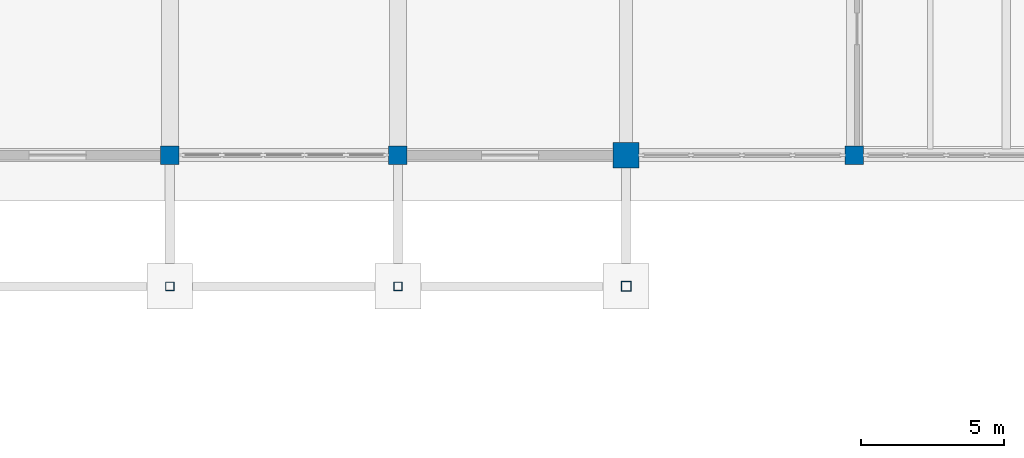
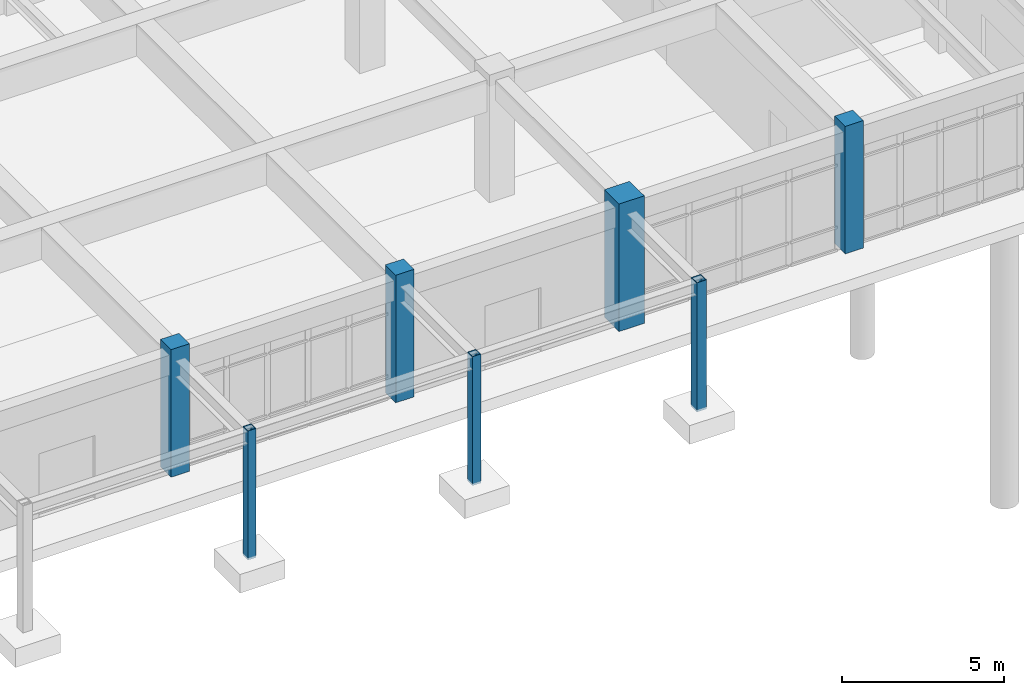
# One storey, part 8 of 64: 7 columns.
"""IFC4 building model written with IfcOpenShell, lengths in metres."""

from ifc_helpers import new_model, si_unit, direction, frame, origin, origin_2d, place, context, subcontext, project, spatial, rectangle, hollow_rectangle, extrude, material, material_profile, profile_set, type_object, element, save


model = new_model("IFC4")

# Units and contexts
model_context = context("Model", 3, precision=1e-05, world=origin(), true_north=direction((0.0, 1.0)))
body_context = subcontext(model_context, "Body", "Model", "MODEL_VIEW")
ifc_project = project(units=[si_unit("LENGTHUNIT", "METRE"), si_unit("AREAUNIT", "SQUARE_METRE"), si_unit("VOLUMEUNIT", "CUBIC_METRE"), si_unit("PLANEANGLEUNIT", "RADIAN"), si_unit("MASSUNIT", "GRAM", prefix="KILO")], contexts=[model_context])

# Site, building, storey
site_placement = place(None, origin())
site = spatial("IfcSite", under=ifc_project, at=site_placement, CompositionType="ELEMENT")
building_placement = place(site_placement, origin())
building = spatial("IfcBuilding", under=site, at=building_placement, Name="Tlaxcora Railside Police Headquarters", CompositionType="ELEMENT")
storey_placement = place(building_placement, origin())
storey = spatial("IfcBuildingStorey", under=building, at=storey_placement, Name="L00", CompositionType="ELEMENT", Elevation=0.0)

# Columns
ifc_material_1 = material(Name="Steel ASTM A992 Grade 50", Category="steel")
ifc_material_profile_1 = material_profile(ifc_material_1, hollow_rectangle(XDim=0.35009765625, YDim=0.35009765625, WallThickness=0.01611328125, at=origin_2d()), Name="HSS350X350X16")
ifc_profile_set_1 = profile_set([ifc_material_profile_1], Name="Steel ASTM A992 Grade 50")
column_type_1 = type_object("IfcColumnType", Name="Structural Column CL-19", PredefinedType="COLUMN", material=ifc_profile_set_1)
column_1_placement = place(storey_placement, frame((86.0, 31.39990234375, -0.5), z_axis=(0.0, 0.0, 1.0), x_axis=(1.0, 0.0, 0.0)))
element("IfcColumn", 1, at=column_1_placement, inside=storey, type_object=column_type_1, Name="Entrance canopy column X=86.0", PredefinedType="COLUMN", context=body_context, shape_type="SweptSolid", body=[
    extrude(hollow_rectangle(XDim=0.35009765625, YDim=0.35009765625, WallThickness=0.01611328125, at=origin_2d()), origin(), (0.0, 0.0, 1.0), 4.860107421875),
])
ifc_material_2 = material(Name="Concrete C40/50", Category="concrete")
ifc_material_profile_2 = material_profile(ifc_material_2, rectangle(XDim=0.89990234375, YDim=0.89990234375, at=origin_2d()), Name="RC900X900")
ifc_profile_set_2 = profile_set([ifc_material_profile_2], Name="Concrete C40/50")
column_type_2 = type_object("IfcColumnType", Name="Structural Column CL-45", PredefinedType="COLUMN", material=ifc_profile_set_2)
column_2_placement = place(storey_placement, frame((86.0, 36.0, 0.0), z_axis=(0.0, 0.0, 1.0), x_axis=(1.0, 0.0, 0.0)))
element("IfcColumn", 2, at=column_2_placement, inside=storey, type_object=column_type_2, Name="L00 column (86.0, 36.0)", PredefinedType="COLUMN", context=body_context, shape_type="SweptSolid", body=[
    extrude(rectangle(XDim=0.89990234375, YDim=0.89990234375, at=origin_2d()), origin(), (0.0, 0.0, 1.0), 4.800048828125),
])
ifc_material_profile_3 = material_profile(ifc_material_2, rectangle(XDim=0.64990234375, YDim=0.64990234375, at=origin_2d()), Name="RC650X650")
ifc_profile_set_3 = profile_set([ifc_material_profile_3], Name="Concrete C40/50")
column_type_3 = type_object("IfcColumnType", Name="Structural Column CL-76", PredefinedType="COLUMN", material=ifc_profile_set_3)
for number, where, z_axis, x_axis, name in (
    (3, (70.0, 36.0, 0.0), (0.0, 0.0, 1.0), (1.0, 0.0, 0.0), "L00 column (70.0, 36.0)"),
    (4, (78.0, 36.0, 0.0), (0.0, 0.0, 1.0), (1.0, 0.0, 0.0), "L00 column (78.0, 36.0)"),
    (5, (94.0, 36.0, 0.0), (0.0, 0.0, 1.0), (1.0, 0.0, 0.0), "L00 column (94.0, 36.0)"),
):
    element("IfcColumn", number, at=place(storey_placement, frame(where, z_axis=z_axis, x_axis=x_axis)), inside=storey, type_object=column_type_3, Name=name, PredefinedType="COLUMN", context=body_context, shape_type="SweptSolid", body=[
        extrude(rectangle(XDim=0.64990234375, YDim=0.64990234375, at=origin_2d()), origin(), (0.0, 0.0, 1.0), 4.800048828125),
    ])
ifc_material_profile_4 = material_profile(ifc_material_1, hollow_rectangle(XDim=0.300048828125, YDim=0.300048828125, WallThickness=0.011962890625, at=origin_2d()), Name="HSS300X300X12")
ifc_profile_set_4 = profile_set([ifc_material_profile_4], Name="Steel ASTM A992 Grade 50")
column_type_4 = type_object("IfcColumnType", Name="Structural Column CL-85", PredefinedType="COLUMN", material=ifc_profile_set_4)
for number, where, z_axis, x_axis, name in (
    (6, (70.0, 31.39990234375, -0.5), (0.0, 0.0, 1.0), (1.0, 0.0, 0.0), "Entrance canopy column X=70.0"),
    (7, (78.0, 31.39990234375, -0.5), (0.0, 0.0, 1.0), (1.0, 0.0, 0.0), "Entrance canopy column X=78.0"),
):
    element("IfcColumn", number, at=place(storey_placement, frame(where, z_axis=z_axis, x_axis=x_axis)), inside=storey, type_object=column_type_4, Name=name, PredefinedType="COLUMN", context=body_context, shape_type="SweptSolid", body=[
        extrude(hollow_rectangle(XDim=0.300048828125, YDim=0.300048828125, WallThickness=0.011962890625, at=origin_2d()), origin(), (0.0, 0.0, 1.0), 4.860107421875),
    ])

save(model, "model.ifc")
